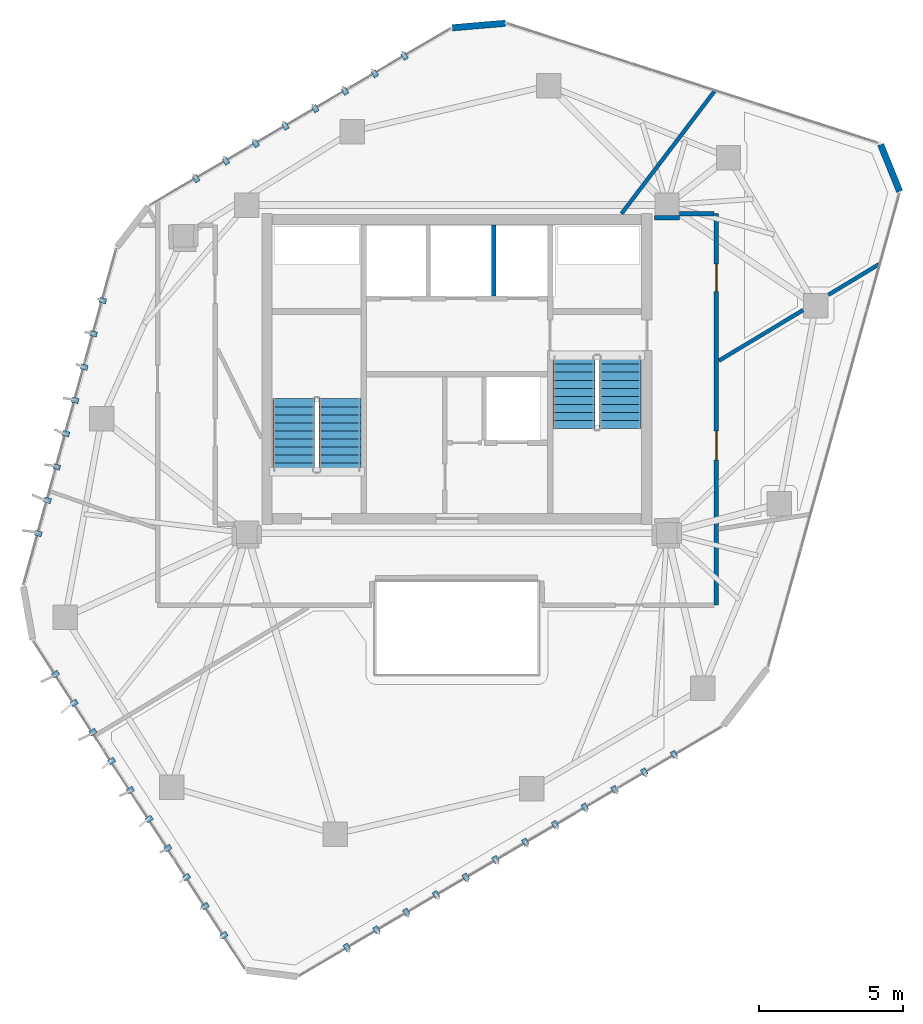
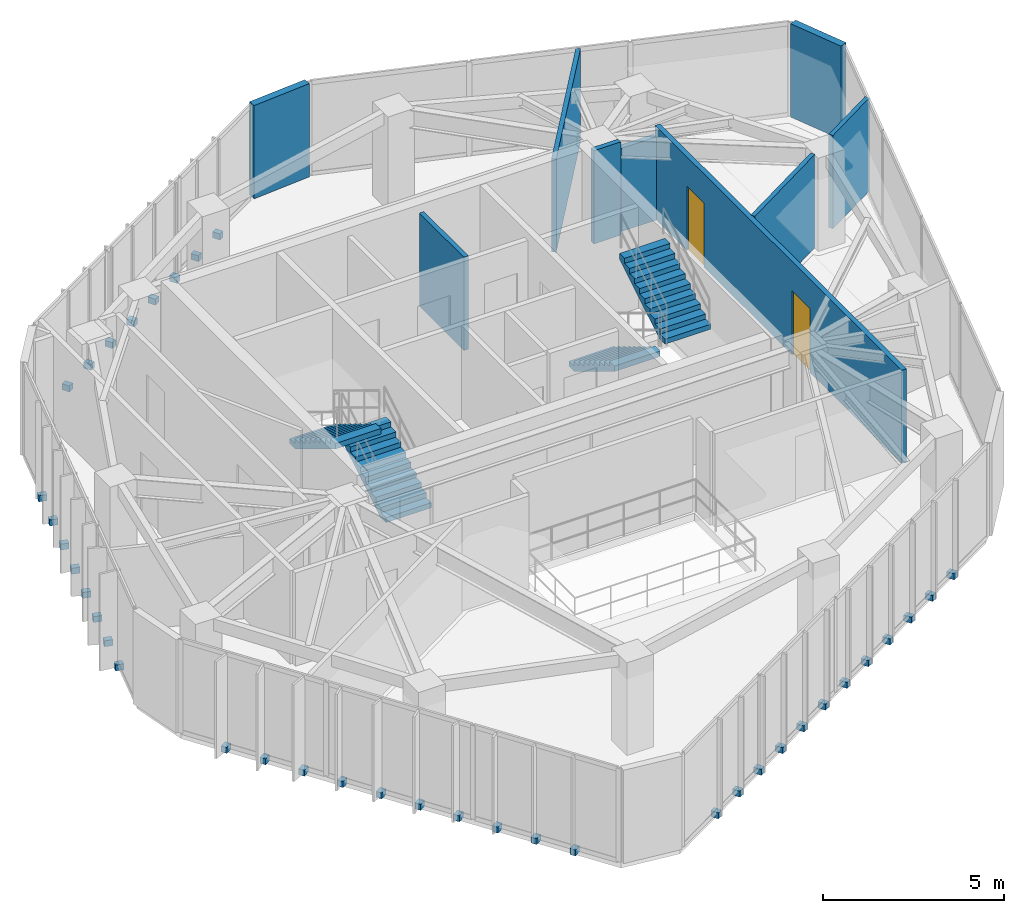
# One storey, part 18 of 20: 38 discrete accessories, 9 walls, 4 stair flights, 2 doors, 2 openings, 2 elements without a shape of their own.
"""IFC4 building model written with IfcOpenShell, lengths in metres."""

import ifcopenshell
import ifcopenshell.guid

model = None  # the IFC model being written
_history = None  # IfcOwnerHistory: only IFC2X3 demands one
_inside = {}  # id of a spatial element -> (the spatial element, [elements in it])
_under = {}  # id of a project, library or spatial element -> (it, [spatial elements below it])
_declared = {}  # id of a project -> (the project, [libraries it declares])
_typed = {}  # id of a type object -> (the type object, [elements of that type])
_made_of = {}  # id of a material, layer set ... -> (it, [elements and type objects made of it])


def new_model(schema):
    """Start an empty IFC model of exactly this schema.

    Asked for "IFC4X3", IfcOpenShell would pick the latest addendum, in which some entities
    have other attributes; the version numbers below select the first issue.
    IFC2X3 requires an IfcOwnerHistory on every rooted entity: one is made here for all.
    """
    global model, _history
    if schema == "IFC4X3":
        model = ifcopenshell.file(schema_version=(4, 3, 0, 0))
    else:
        model = ifcopenshell.file(schema=schema)
    _inside.clear()
    _under.clear()
    _declared.clear()
    _typed.clear()
    _made_of.clear()
    _history = None
    if model.schema == "IFC2X3":
        org = make("IfcOrganization", Name="unknown")
        user = make(
            "IfcPersonAndOrganization",
            ThePerson=make("IfcPerson", FamilyName="unknown"),
            TheOrganization=org,
        )
        app = make(
            "IfcApplication",
            ApplicationDeveloper=org,
            Version="unknown",
            ApplicationFullName="unknown",
            ApplicationIdentifier="unknown",
        )
        _history = make(
            "IfcOwnerHistory",
            OwningUser=user,
            OwningApplication=app,
            ChangeAction="ADDED",
            CreationDate=0,
        )
    return model


def make(cls, **values):
    """One entity of the class cls with the attributes given. An attribute that is None is left unset."""
    return model.create_entity(
        cls, **{name: value for name, value in values.items() if value is not None}
    )


def rooted(cls, **values):
    """An entity with a GlobalId (a new one), such as an element, a storey or a relation."""
    return make(cls, GlobalId=ifcopenshell.guid.new(), OwnerHistory=_history, **values)


def si_unit(unit_type, name, prefix=None):
    """IfcSIUnit, for example si_unit("LENGTHUNIT", "METRE", prefix="MILLI")."""
    return make("IfcSIUnit", UnitType=unit_type, Prefix=prefix, Name=name)


def assignment(units):
    """IfcUnitAssignment: the units of a project."""
    return None if units is None else make("IfcUnitAssignment", Units=units)


def point(xyz):
    """IfcCartesianPoint."""
    return None if xyz is None else make("IfcCartesianPoint", Coordinates=xyz)


def direction(xyz):
    """IfcDirection."""
    return None if xyz is None else make("IfcDirection", DirectionRatios=xyz)


def frame(location, z_axis=None, x_axis=None):
    """IfcAxis2Placement3D, a coordinate frame: its origin and axes. An axis left out is left unset."""
    return make(
        "IfcAxis2Placement3D",
        Location=point(location),
        Axis=direction(z_axis),
        RefDirection=direction(x_axis),
    )


def frame_2d(location, x_axis=None):
    """IfcAxis2Placement2D, a coordinate frame in the plane: its origin and x axis."""
    return make(
        "IfcAxis2Placement2D", Location=point(location), RefDirection=direction(x_axis)
    )


def origin():
    """The frame at (0, 0, 0) with its axes left unset."""
    return frame((0.0, 0.0, 0.0))


def origin_2d():
    """The frame at (0, 0) in the plane with its x axis left unset."""
    return frame_2d((0.0, 0.0))


def place(relative_to, where):
    """IfcLocalPlacement: puts the frame where relative to a parent placement (None: the world)."""
    return make(
        "IfcLocalPlacement", PlacementRelTo=relative_to, RelativePlacement=where
    )


def context(
    kind, dimensions, precision=None, world=None, true_north=None, identifier=None
):
    """IfcGeometricRepresentationContext, for example the 3D "Model" context."""
    return make(
        "IfcGeometricRepresentationContext",
        ContextIdentifier=identifier,
        ContextType=kind,
        CoordinateSpaceDimension=dimensions,
        Precision=precision,
        WorldCoordinateSystem=world,
        TrueNorth=true_north,
    )


def subcontext(parent, identifier, kind, view, scale=None):
    """IfcGeometricRepresentationSubContext, for example "Body" below "Model"."""
    return make(
        "IfcGeometricRepresentationSubContext",
        ContextIdentifier=identifier,
        ContextType=kind,
        ParentContext=parent,
        TargetScale=scale,
        TargetView=view,
    )


def project(units=None, contexts=None):
    """IfcProject with its units and contexts."""
    return rooted(
        "IfcProject",
        Name="project",
        RepresentationContexts=contexts,
        UnitsInContext=assignment(units),
    )


def spatial(cls, under=None, at=None, **own):
    """A site, building, storey or space (cls), placed at a placement, below another one or the project."""
    s = rooted(cls, ObjectPlacement=at, **own)
    if under is not None:
        _under.setdefault(under.id(), (under, []))[1].append(s)
    return s


def polyline(points):
    """IfcPolyline through the points."""
    return make("IfcPolyline", Points=[point(p) for p in points])


def profile(cls, at=None, kind="AREA", **sizes):
    """A parametric profile (cls). Its sizes go by their IFC names, for example OverallWidth=200.0."""
    return make(cls, ProfileType=kind, Position=at, **sizes)


def rectangle(**sizes):
    """IfcRectangleProfileDef."""
    return profile("IfcRectangleProfileDef", **sizes)


def outline(outer, holes=None, kind="AREA"):
    """IfcArbitraryClosedProfileDef: a profile drawn as a closed curve; with holes, ...WithVoids."""
    if holes is None:
        return make("IfcArbitraryClosedProfileDef", ProfileType=kind, OuterCurve=outer)
    return make(
        "IfcArbitraryProfileDefWithVoids",
        ProfileType=kind,
        OuterCurve=outer,
        InnerCurves=holes,
    )


def extrude(swept, where, along, depth):
    """IfcExtrudedAreaSolid: the profile swept, set in the frame where, extruded along a direction by depth."""
    return make(
        "IfcExtrudedAreaSolid",
        SweptArea=swept,
        Position=where,
        ExtrudedDirection=direction(along),
        Depth=depth,
    )


def shape(context_of_items, identifier, shape_type, items):
    """IfcShapeRepresentation: the items that make up one representation, for example the "Body"."""
    return make(
        "IfcShapeRepresentation",
        ContextOfItems=context_of_items,
        RepresentationIdentifier=identifier,
        RepresentationType=shape_type,
        Items=items,
    )


def source(mapping_origin, context_of_items, identifier, shape_type, items):
    """IfcRepresentationMap: a shape defined once, which mapped items show again and again."""
    return make(
        "IfcRepresentationMap",
        MappingOrigin=mapping_origin,
        MappedRepresentation=shape(context_of_items, identifier, shape_type, items),
    )


def transform(
    local_origin,
    x_axis=None,
    y_axis=None,
    z_axis=None,
    scale=None,
    scale2=None,
    scale3=None,
    uniform=True,
):
    """IfcCartesianTransformationOperator3D, or its non-uniform kind. x_axis, y_axis, z_axis: its Axis1, 2, 3."""
    if uniform:
        return make(
            "IfcCartesianTransformationOperator3D",
            Axis1=direction(x_axis),
            Axis2=direction(y_axis),
            LocalOrigin=point(local_origin),
            Scale=scale,
            Axis3=direction(z_axis),
        )
    return make(
        "IfcCartesianTransformationOperator3DnonUniform",
        Axis1=direction(x_axis),
        Axis2=direction(y_axis),
        LocalOrigin=point(local_origin),
        Scale=scale,
        Axis3=direction(z_axis),
        Scale2=scale2,
        Scale3=scale3,
    )


def mapped(mapping_source, mapping_target):
    """IfcMappedItem: shows the shape of a source again, moved by a transform."""
    return make(
        "IfcMappedItem", MappingSource=mapping_source, MappingTarget=mapping_target
    )


def material(Name=None, Category=None):
    """IfcMaterial."""
    return make("IfcMaterial", Name=Name, Category=Category)


def layer(
    of_material, thickness, ventilated=None, Name=None, Category=None, Priority=None
):
    """IfcMaterialLayer: one layer of a wall or slab, of a material (None: an air gap)."""
    return make(
        "IfcMaterialLayer",
        Material=of_material,
        LayerThickness=thickness,
        IsVentilated=ventilated,
        Name=Name,
        Category=Category,
        Priority=Priority,
    )


def layer_set(layers, Name=None):
    """IfcMaterialLayerSet."""
    return make("IfcMaterialLayerSet", MaterialLayers=layers, LayerSetName=Name)


def made_of(thing, what):
    """Note that an element or type object is made of a material, layer set ...; save() writes the relation."""
    if what is not None:
        _made_of.setdefault(what.id(), (what, []))[1].append(thing)
    return thing


def type_object(cls, material=None, **own):
    """A type object (cls), such as IfcWallType, which elements share."""
    return made_of(rooted(cls, **own), material)


def type_shapes(of_type, sources):
    """Give a type object the sources (RepresentationMaps) that its elements show as mapped items."""
    of_type.RepresentationMaps = sources


def element(
    cls,
    number,
    at=None,
    inside=None,
    cuts=None,
    type_object=None,
    material=None,
    context=None,
    identifier="Body",
    shape_type=None,
    held_by="IfcProductDefinitionShape",
    body=None,
    shapes=None,
    **own,
):
    """One element of the class cls, such as IfcWall. Its Tag is "e" and its number.

    at: its placement. inside: the storey or other place that contains it. cuts: it is an
    opening in that element (IfcRelVoidsElement). A single representation is given by context,
    identifier, shape_type and body (its items); several are given by shapes. held_by: the class
    of the entity that holds the representations. save() writes the other relations.
    """
    e = rooted(cls, Tag="e%d" % number, ObjectPlacement=at, **own)
    if body is not None:
        shapes = [shape(context, identifier, shape_type, body)]
    if shapes is not None:
        e.Representation = make(held_by, Representations=shapes)
    if inside is not None:
        _inside.setdefault(inside.id(), (inside, []))[1].append(e)
    if cuts is not None:
        rooted(
            "IfcRelVoidsElement", RelatingBuildingElement=cuts, RelatedOpeningElement=e
        )
    if type_object is not None:
        _typed.setdefault(type_object.id(), (type_object, []))[1].append(e)
    return made_of(e, material)


def fill(opening, filler):
    """IfcRelFillsElement: the door or window that sits in an opening."""
    return rooted(
        "IfcRelFillsElement",
        RelatingOpeningElement=opening,
        RelatedBuildingElement=filler,
    )


def aggregate(whole, parts):
    """IfcRelAggregates: a whole, such as a stair, and the parts it consists of."""
    return rooted("IfcRelAggregates", RelatingObject=whole, RelatedObjects=parts)


def save(model, path):
    """Write the relations noted so far, then the file.

    IfcRelAggregates (storeys below a building ...), IfcRelContainedInSpatialStructure (elements
    in a storey), IfcRelDefinesByType, IfcRelAssociatesMaterial and IfcRelDeclares: one each for
    every whole, place, type object, material and project.
    """
    for whole, parts in _under.values():
        aggregate(whole, parts)
    for where, things in _inside.values():
        rooted(
            "IfcRelContainedInSpatialStructure",
            RelatedElements=things,
            RelatingStructure=where,
        )
    for kind, things in _typed.values():
        rooted("IfcRelDefinesByType", RelatedObjects=things, RelatingType=kind)
    for what, things in _made_of.values():
        rooted("IfcRelAssociatesMaterial", RelatedObjects=things, RelatingMaterial=what)
    for by, libraries in _declared.values():
        rooted("IfcRelDeclares", RelatingContext=by, RelatedDefinitions=libraries)
    model.write(path)


model = new_model("IFC4")

# Units and contexts
model_context = context("Model", 3, precision=1e-05, world=origin(), true_north=direction((0.0, 1.0)))
body_context = subcontext(model_context, "Body", "Model", "MODEL_VIEW")
ifc_project = project(units=[si_unit("LENGTHUNIT", "METRE"), si_unit("AREAUNIT", "SQUARE_METRE"), si_unit("VOLUMEUNIT", "CUBIC_METRE"), si_unit("PLANEANGLEUNIT", "RADIAN"), si_unit("MASSUNIT", "GRAM", prefix="KILO")], contexts=[model_context])

# Site, building, storey
site_placement = place(None, origin())
site = spatial("IfcSite", under=ifc_project, at=site_placement, CompositionType="ELEMENT")
building_placement = place(site_placement, origin())
building = spatial("IfcBuilding", under=site, at=building_placement, Name="Talar Marvaseh", CompositionType="ELEMENT")
storey_placement = place(building_placement, frame((0.0, 0.0, 254.39990234375)))
storey = spatial("IfcBuildingStorey", under=building, at=storey_placement, Name="L67", CompositionType="ELEMENT", Elevation=254.39990234375)

# Walls
ifc_material_1 = material(Name="Precast concrete C45/55", Category="concrete")
ifc_layer_1 = layer(ifc_material_1, 0.22509765625)
ifc_layer_set_1 = layer_set([ifc_layer_1], Name="Precast concrete C45/55")
wall_type_1 = type_object("IfcWallType", Name="Chamfered Hexagonal Corner Pier Wall Z4 225", PredefinedType="SOLIDWALL", material=ifc_layer_set_1)
wall_1_placement = place(storey_placement, frame((25.837890625, 43.060546875, 0.0), z_axis=(0.0, 0.0, 1.0), x_axis=(0.996373138818, 0.085091528619, 0.0)))
element("IfcWall", 1, at=wall_1_placement, inside=storey, type_object=wall_type_1, Name="L67 Chamfered Corner Limestone Pier 4", PredefinedType="SOLIDWALL", context=body_context, shape_type="SweptSolid", body=[
    extrude(rectangle(XDim=1.8564453125, YDim=0.22509765625, at=frame_2d((0.92822265625, 0.0))), origin(), (0.0, 0.0, 1.0), 3.14013671875),
])
wall_2_placement = place(storey_placement, frame((40.726806640625, 39.00244140625, 0.0), z_axis=(0.0, 0.0, 1.0), x_axis=(0.37591139534, -0.926655611786, 0.0)))
element("IfcWall", 2, at=wall_2_placement, inside=storey, type_object=wall_type_1, Name="L67 Chamfered Corner Limestone Pier 5", PredefinedType="SOLIDWALL", context=body_context, shape_type="SweptSolid", body=[
    extrude(rectangle(XDim=1.758056640625, YDim=0.22509765625, at=frame_2d((0.87890625, 0.0))), origin(), (0.0, 0.0, 1.0), 3.14013671875),
])

# Wall, openings, doors
ifc_material_2 = material(Name="Gypsum Board Partition Assembly")
ifc_layer_2 = layer(ifc_material_2, 0.155029296875)
ifc_layer_set_2 = layer_set([ifc_layer_2], Name="Gypsum Board Partition Assembly")
wall_type_2 = type_object("IfcWallType", Name="Corridor Fire-Rated Acoustic Partition 155", PredefinedType="PARTITIONING", material=ifc_layer_set_2)
wall_3_placement = place(storey_placement, frame((35.02001953125, 36.60009765625, 0.0), z_axis=(0.0, 0.0, 1.0), x_axis=(0.0, -1.0, 0.0)))
wall_3 = element("IfcWall", 3, at=wall_3_placement, inside=storey, type_object=wall_type_2, Name="L67 Interior Partition Wall", PredefinedType="PARTITIONING", context=body_context, shape_type="SweptSolid", body=[
    extrude(rectangle(XDim=13.60009765625, YDim=0.155029296875, at=frame_2d((6.800048828125, 0.0))), origin(), (0.0, 0.0, 1.0), 3.14013671875),
])
opening_1_placement = place(wall_3_placement, frame((7.552490234375, 0.0, 0.0)))
opening_1 = element("IfcOpeningElement", 4, at=opening_1_placement, cuts=wall_3, Name="Opening DR-RM100", PredefinedType="OPENING", context=body_context, shape_type="SweptSolid", body=[
    extrude(rectangle(XDim=1.0, YDim=2.14990234375, at=frame_2d((0.5, 1.074951171875))), frame((0.0, 0.08740234375, 0.0), z_axis=(0.0, -1.0, 0.0), x_axis=(1.0, 0.0, 0.0)), (0.0, 0.0, 1.0), 0.175048828125),
])
opening_2_placement = place(wall_3_placement, frame((1.74951171875, 0.0, 0.0)))
opening_2 = element("IfcOpeningElement", 5, at=opening_2_placement, cuts=wall_3, Name="Opening DR-WC095", PredefinedType="OPENING", context=body_context, shape_type="SweptSolid", body=[
    extrude(rectangle(XDim=0.949951171875, YDim=2.14990234375, at=frame_2d((0.47509765625, 1.074951171875))), frame((0.0, 0.08740234375, 0.0), z_axis=(0.0, -1.0, 0.0), x_axis=(1.0, 0.0, 0.0)), (0.0, 0.0, 1.0), 0.175048828125),
])
ifc_material_3 = material(Name="Acoustic Engineered Oak Timber", Category="wood")
door_type_1 = type_object("IfcDoorType", Name="Washroom and Service Room Door 950x2150", OperationType="NOTDEFINED", PredefinedType="DOOR", material=ifc_material_3)
shared_shape_1 = source(origin(), body_context, "Body", "SweptSolid", [
    extrude(rectangle(XDim=0.949951171875, YDim=2.14990234375, at=frame_2d((0.47509765625, 1.074951171875))), frame((0.0, 0.02490234375, 0.0), z_axis=(0.0, -1.0, 0.0), x_axis=(1.0, 0.0, 0.0)), (0.0, 0.0, 1.0), 0.050048828125),
])
type_shapes(door_type_1, [shared_shape_1])
door_1_placement = place(opening_2_placement, origin())
door_1 = element("IfcDoor", 6, at=door_1_placement, inside=storey, type_object=door_type_1, Name="L67 Collection Conservation Store Door", OperationType="SINGLE_SWING_LEFT", OverallHeight=2.14990234375, OverallWidth=0.949951171875, PredefinedType="DOOR", context=body_context, shape_type="MappedRepresentation", body=[
    mapped(shared_shape_1, transform((0.0, 0.0, 0.0), x_axis=(1.0, 0.0, 0.0), y_axis=(0.0, 1.0, 0.0), z_axis=(0.0, 0.0, 1.0), scale=1.0)),
])
fill(opening_2, door_1)
door_type_2 = type_object("IfcDoorType", Name="Corridor Fire-Rated Gallery Door 1000x2150", OperationType="NOTDEFINED", PredefinedType="DOOR", material=ifc_material_3)
shared_shape_2 = source(origin(), body_context, "Body", "SweptSolid", [
    extrude(rectangle(XDim=1.0, YDim=2.14990234375, at=frame_2d((0.5, 1.074951171875))), frame((0.0, 0.02490234375, 0.0), z_axis=(0.0, -1.0, 0.0), x_axis=(1.0, 0.0, 0.0)), (0.0, 0.0, 1.0), 0.050048828125),
])
type_shapes(door_type_2, [shared_shape_2])
door_2_placement = place(opening_1_placement, origin())
door_2 = element("IfcDoor", 7, at=door_2_placement, inside=storey, type_object=door_type_2, Name="L67 Artisan Craft Showroom Door", OperationType="SINGLE_SWING_RIGHT", OverallHeight=2.14990234375, OverallWidth=1.0, PredefinedType="DOOR", context=body_context, shape_type="MappedRepresentation", body=[
    mapped(shared_shape_2, transform((0.0, 0.0, 0.0), x_axis=(1.0, 0.0, 0.0), y_axis=(0.0, 1.0, 0.0), z_axis=(0.0, 0.0, 1.0), scale=1.0)),
])
fill(opening_1, door_2)

# Walls
wall_4_placement = place(storey_placement, frame((32.8701171875, 36.464599609375, 0.0), z_axis=(0.0, 0.0, 1.0), x_axis=(0.999986873463, -0.005123758532, 0.0)))
element("IfcWall", 8, at=wall_4_placement, inside=storey, type_object=wall_type_2, Name="L67 Interior Partition Wall", PredefinedType="PARTITIONING", context=body_context, shape_type="SweptSolid", body=[
    extrude(rectangle(XDim=0.857666015625, YDim=0.155029296875, at=frame_2d((0.4287109375, 0.0))), origin(), (0.0, 0.0, 1.0), 3.14013671875),
])
wall_5_placement = place(storey_placement, frame((33.739990234375, 36.60009765625, 0.0), z_axis=(0.0, 0.0, 1.0), x_axis=(1.0, 0.0, 0.0)))
element("IfcWall", 9, at=wall_5_placement, inside=storey, type_object=wall_type_2, Name="L67 Interior Partition Wall", PredefinedType="PARTITIONING", context=body_context, shape_type="SweptSolid", body=[
    extrude(rectangle(XDim=1.196533203125, YDim=0.155029296875, at=frame_2d((0.59814453125, 0.0))), origin(), (0.0, 0.0, 1.0), 2.802001953125),
])
ifc_layer_3 = layer(ifc_material_1, 0.14501953125)
ifc_layer_set_3 = layer_set([ifc_layer_3], Name="Precast concrete C45/55")
wall_type_3 = type_object("IfcWallType", Name="Fire-Rated Lift Divider Wall 145", PredefinedType="SOLIDWALL", material=ifc_layer_set_3)
wall_6_placement = place(storey_placement, frame((27.280029296875, 33.743408203125, 0.0), z_axis=(0.0, 0.0, 1.0), x_axis=(0.0, 1.0, 0.0)))
element("IfcWall", 10, at=wall_6_placement, inside=storey, type_object=wall_type_3, Name="L67 FFL-2/SVL-1 Divider", PredefinedType="SOLIDWALL", context=body_context, shape_type="SweptSolid", body=[
    extrude(rectangle(XDim=2.45654296875, YDim=0.14501953125, at=frame_2d((1.228271484375, 0.0))), origin(), (0.0, 0.0, 1.0), 3.14013671875),
])
ifc_layer_4 = layer(ifc_material_2, 0.135009765625)
ifc_layer_set_4 = layer_set([ifc_layer_4], Name="Gypsum Board Partition Assembly")
wall_type_4 = type_object("IfcWallType", Name="Gallery High-Acoustic Partition 135", PredefinedType="PARTITIONING", material=ifc_layer_set_4)
wall_7_placement = place(storey_placement, frame((35.103515625, 31.490234375, 0.0), z_axis=(0.0, 0.0, 1.0), x_axis=(0.856994170777, 0.515326101857, 0.0)))
element("IfcWall", 11, at=wall_7_placement, inside=storey, type_object=wall_type_4, Name="L67 Interior Partition Wall", PredefinedType="PARTITIONING", context=body_context, shape_type="SweptSolid", body=[
    extrude(rectangle(XDim=3.414794921875, YDim=0.135009765625, at=frame_2d((1.70751953125, 0.0))), origin(), (0.0, 0.0, 1.0), 3.14013671875),
])
wall_8_placement = place(storey_placement, frame((38.909912109375, 33.780029296875, 0.0), z_axis=(0.0, 0.0, 1.0), x_axis=(0.856064445275, 0.516869099034, 0.0)))
element("IfcWall", 12, at=wall_8_placement, inside=storey, type_object=wall_type_4, Name="L67 Interior Partition Wall", PredefinedType="PARTITIONING", context=body_context, shape_type="SweptSolid", body=[
    extrude(rectangle(XDim=2.07080078125, YDim=0.135009765625, at=frame_2d((1.035400390625, 0.0))), origin(), (0.0, 0.0, 1.0), 3.14013671875),
])
wall_9_placement = place(storey_placement, frame((31.719970703125, 36.60009765625, 0.0), z_axis=(0.0, 0.0, 1.0), x_axis=(0.60467223379, 0.796474412448, 0.0)))
element("IfcWall", 13, at=wall_9_placement, inside=storey, type_object=wall_type_4, Name="L67 Interior Partition Wall", PredefinedType="PARTITIONING", context=body_context, shape_type="SweptSolid", body=[
    extrude(rectangle(XDim=5.347412109375, YDim=0.135009765625, at=frame_2d((2.673828125, 0.0))), origin(), (0.0, 0.0, 1.0), 3.14013671875),
])

# Stair, stair flights
ifc_material_4 = material(Name="Concrete C40/50", Category="concrete")
stair_type = type_object("IfcStairType", Name="Reinforced Concrete High-Rise Exit Stair Type C", PredefinedType="HALF_TURN_STAIR", material=ifc_material_4)
stair_1_placement = place(storey_placement, origin())
stair_1 = element("IfcStair", 14, at=stair_1_placement, inside=storey, type_object=stair_type, Name="L67 Tower West Core Exit Stair", PredefinedType="HALF_TURN_STAIR")
ifc_layer_5 = layer(ifc_material_4, 0.159912109375)
ifc_layer_set_5 = layer_set([ifc_layer_5], Name="Concrete C40/50")
stair_flight_type = type_object("IfcStairFlightType", Name="Reinforced Concrete Straight Stair Flight 160", PredefinedType="STRAIGHT", material=ifc_layer_set_5)
stair_flight_1_placement = place(storey_placement, frame((21.93505859375, 27.64990234375, 0.0), z_axis=(0.0, 0.0, 1.0), x_axis=(0.0, 1.0, 0.0)))
stair_flight_1 = element("IfcStairFlight", 15, at=stair_flight_1_placement, type_object=stair_flight_type, Name="ST-1 flight 1", NumberOfRisers=10, NumberOfTreads=9, PredefinedType="STRAIGHT", RiserHeight=0.17, TreadLength=0.28, context=body_context, shape_type="SweptSolid", body=[
    extrude(outline(polyline([(0.0, 0.0), (0.0, 0.169921875), (0.280029296875, 0.169921875), (0.280029296875, 0.340087890625), (0.56005859375, 0.340087890625), (0.56005859375, 0.510009765625), (0.840087890625, 0.510009765625), (0.840087890625, 0.679931640625), (1.1201171875, 0.679931640625), (1.1201171875, 0.85009765625), (1.39990234375, 0.85009765625), (1.39990234375, 1.02001953125), (1.679931640625, 1.02001953125), (1.679931640625, 1.18994140625), (1.9599609375, 1.18994140625), (1.9599609375, 1.360107421875), (2.239990234375, 1.360107421875), (2.239990234375, 1.530029296875), (2.52001953125, 1.530029296875), (2.52001953125, 1.699951171875), (2.52001953125, 1.343017578125), (0.30810546875, 0.0), (0.0, 0.0)])), frame((0.0, 0.72509765625, 0.0), z_axis=(0.0, -1.0, 0.0), x_axis=(1.0, 0.0, 0.0)), (0.0, 0.0, 1.0), 1.449951171875),
])
stair_flight_2_placement = place(storey_placement, frame((20.324951171875, 30.169921875, 1.7001953125), z_axis=(0.0, 0.0, 1.0), x_axis=(0.0, -1.0, 0.0)))
stair_flight_2 = element("IfcStairFlight", 16, at=stair_flight_2_placement, type_object=stair_flight_type, Name="ST-1 flight 2", NumberOfRisers=10, NumberOfTreads=9, PredefinedType="STRAIGHT", RiserHeight=0.17, TreadLength=0.28, context=body_context, shape_type="SweptSolid", body=[
    extrude(outline(polyline([(0.0, 0.0), (0.0, 0.169921875), (0.280029296875, 0.169921875), (0.280029296875, 0.340087890625), (0.56005859375, 0.340087890625), (0.56005859375, 0.510009765625), (0.840087890625, 0.510009765625), (0.840087890625, 0.679931640625), (1.1201171875, 0.679931640625), (1.1201171875, 0.85009765625), (1.39990234375, 0.85009765625), (1.39990234375, 1.02001953125), (1.679931640625, 1.02001953125), (1.679931640625, 1.18994140625), (1.9599609375, 1.18994140625), (1.9599609375, 1.360107421875), (2.239990234375, 1.360107421875), (2.239990234375, 1.530029296875), (2.52001953125, 1.530029296875), (2.52001953125, 1.699951171875), (2.52001953125, 1.343017578125), (0.30810546875, 0.0), (0.0, 0.0)])), frame((0.0, 0.72509765625, 0.0), z_axis=(0.0, -1.0, 0.0), x_axis=(1.0, 0.0, 0.0)), (0.0, 0.0, 1.0), 1.449951171875),
])
aggregate(stair_1, [stair_flight_1, stair_flight_2])

stair_2_placement = place(storey_placement, origin())
stair_2 = element("IfcStair", 17, at=stair_2_placement, inside=storey, type_object=stair_type, Name="L67 Tower East Core Exit Stair", PredefinedType="HALF_TURN_STAIR")
stair_flight_3_placement = place(storey_placement, frame((30.06494140625, 31.64990234375, 0.0), z_axis=(0.0, 0.0, 1.0), x_axis=(0.0, -1.0, 0.0)))
stair_flight_3 = element("IfcStairFlight", 18, at=stair_flight_3_placement, type_object=stair_flight_type, Name="ST-2 flight 1", NumberOfRisers=10, NumberOfTreads=9, PredefinedType="STRAIGHT", RiserHeight=0.17, TreadLength=0.28, context=body_context, shape_type="SweptSolid", body=[
    extrude(outline(polyline([(0.0, 0.0), (0.0, 0.169921875), (0.280029296875, 0.169921875), (0.280029296875, 0.340087890625), (0.56005859375, 0.340087890625), (0.56005859375, 0.510009765625), (0.840087890625, 0.510009765625), (0.840087890625, 0.679931640625), (1.1201171875, 0.679931640625), (1.1201171875, 0.85009765625), (1.39990234375, 0.85009765625), (1.39990234375, 1.02001953125), (1.679931640625, 1.02001953125), (1.679931640625, 1.18994140625), (1.9599609375, 1.18994140625), (1.9599609375, 1.360107421875), (2.239990234375, 1.360107421875), (2.239990234375, 1.530029296875), (2.52001953125, 1.530029296875), (2.52001953125, 1.699951171875), (2.52001953125, 1.343017578125), (0.30810546875, 0.0), (0.0, 0.0)])), frame((0.0, 0.72509765625, 0.0), z_axis=(0.0, -1.0, 0.0), x_axis=(1.0, 0.0, 0.0)), (0.0, 0.0, 1.0), 1.449951171875),
])
stair_flight_4_placement = place(storey_placement, frame((31.675048828125, 29.1298828125, 1.7001953125), z_axis=(0.0, 0.0, 1.0), x_axis=(0.0, 1.0, 0.0)))
stair_flight_4 = element("IfcStairFlight", 19, at=stair_flight_4_placement, type_object=stair_flight_type, Name="ST-2 flight 2", NumberOfRisers=10, NumberOfTreads=9, PredefinedType="STRAIGHT", RiserHeight=0.17, TreadLength=0.28, context=body_context, shape_type="SweptSolid", body=[
    extrude(outline(polyline([(0.0, 0.0), (0.0, 0.169921875), (0.280029296875, 0.169921875), (0.280029296875, 0.340087890625), (0.56005859375, 0.340087890625), (0.56005859375, 0.510009765625), (0.840087890625, 0.510009765625), (0.840087890625, 0.679931640625), (1.1201171875, 0.679931640625), (1.1201171875, 0.85009765625), (1.39990234375, 0.85009765625), (1.39990234375, 1.02001953125), (1.679931640625, 1.02001953125), (1.679931640625, 1.18994140625), (1.9599609375, 1.18994140625), (1.9599609375, 1.360107421875), (2.239990234375, 1.360107421875), (2.239990234375, 1.530029296875), (2.52001953125, 1.530029296875), (2.52001953125, 1.699951171875), (2.52001953125, 1.343017578125), (0.30810546875, 0.0), (0.0, 0.0)])), frame((0.0, 0.72509765625, 0.0), z_axis=(0.0, -1.0, 0.0), x_axis=(1.0, 0.0, 0.0)), (0.0, 0.0, 1.0), 1.449951171875),
])
aggregate(stair_2, [stair_flight_3, stair_flight_4])

# Discrete accessories
ifc_material_5 = material(Name="Stainless Steel Grade 316", Category="steel")
discrete_accessory_type = type_object("IfcDiscreteAccessoryType", Name="Stainless Slab-Edge Fin Mounting Bracket", PredefinedType="BRACKET", material=ifc_material_5)
shared_shape_3 = source(origin(), body_context, "Body", "SweptSolid", [
    extrude(rectangle(XDim=0.239990234375, YDim=0.179931640625, at=origin_2d()), origin(), (0.0, 0.0, 1.0), 0.199951171875),
])
type_shapes(discrete_accessory_type, [shared_shape_3])
for number, where, z_axis, x_axis, name in (
    (20, (17.906005859375, 11.5263671875, -0.1796875), (0.0, 0.0, 1.0), (-0.840093553899, -0.542441536663, 0.0), "L67 Vertical Fin Slab-Edge Bracket"),
    (21, (17.255126953125, 12.534423828125, -0.1796875), (0.0, 0.0, 1.0), (-0.840093553899, -0.542441536663, 0.0), "L67 Vertical Fin Slab-Edge Bracket"),
    (22, (16.604248046875, 13.542724609375, -0.1796875), (0.0, 0.0, 1.0), (-0.840093553899, -0.542441536663, 0.0), "L67 Vertical Fin Slab-Edge Bracket"),
    (23, (15.953369140625, 14.55078125, -0.1796875), (0.0, 0.0, 1.0), (-0.840093553899, -0.542441536663, 0.0), "L67 Vertical Fin Slab-Edge Bracket"),
    (24, (15.302490234375, 15.55908203125, -0.1796875), (0.0, 0.0, 1.0), (-0.840093553899, -0.542441536663, 0.0), "L67 Vertical Fin Slab-Edge Bracket"),
    (25, (14.651611328125, 16.567138671875, -0.1796875), (0.0, 0.0, 1.0), (-0.840093553899, -0.542441536663, 0.0), "L67 Vertical Fin Slab-Edge Bracket"),
    (26, (14.000732421875, 17.5751953125, -0.1796875), (0.0, 0.0, 1.0), (-0.840093553899, -0.542441536663, 0.0), "L67 Vertical Fin Slab-Edge Bracket"),
    (27, (13.35009765625, 18.58349609375, -0.1796875), (0.0, 0.0, 1.0), (-0.840093553899, -0.542441536663, 0.0), "L67 Vertical Fin Slab-Edge Bracket"),
    (28, (12.69921875, 19.591552734375, -0.1796875), (0.0, 0.0, 1.0), (-0.840093553899, -0.542441536663, 0.0), "L67 Vertical Fin Slab-Edge Bracket"),
    (29, (12.048095703125, 20.599609375, -0.1796875), (0.0, 0.0, 1.0), (-0.840093553899, -0.542441536663, 0.0), "L67 Vertical Fin Slab-Edge Bracket"),
    (30, (11.45458984375, 25.48486328125, -0.1796875), (0.0, 0.0, 1.0), (-0.963956227226, 0.266060880235, 0.0), "L67 Vertical Fin Slab-Edge Bracket"),
    (31, (11.773681640625, 26.6416015625, -0.1796875), (0.0, 0.0, 1.0), (-0.963956227226, 0.266060880235, 0.0), "L67 Vertical Fin Slab-Edge Bracket"),
    (32, (12.093017578125, 27.79833984375, -0.1796875), (0.0, 0.0, 1.0), (-0.963956227226, 0.266060880235, 0.0), "L67 Vertical Fin Slab-Edge Bracket"),
    (33, (12.412353515625, 28.955078125, -0.1796875), (0.0, 0.0, 1.0), (-0.963956227226, 0.266060880235, 0.0), "L67 Vertical Fin Slab-Edge Bracket"),
    (34, (12.731689453125, 30.11181640625, -0.1796875), (0.0, 0.0, 1.0), (-0.963956227226, 0.266060880235, 0.0), "L67 Vertical Fin Slab-Edge Bracket"),
    (35, (13.051025390625, 31.2685546875, -0.1796875), (0.0, 0.0, 1.0), (-0.963956227226, 0.266060880235, 0.0), "L67 Vertical Fin Slab-Edge Bracket"),
    (36, (13.370361328125, 32.42529296875, -0.1796875), (0.0, 0.0, 1.0), (-0.963956227226, 0.266060880235, 0.0), "L67 Vertical Fin Slab-Edge Bracket"),
    (37, (13.689697265625, 33.58203125, -0.1796875), (0.0, 0.0, 1.0), (-0.963956227226, 0.266060880235, 0.0), "L67 Vertical Fin Slab-Edge Bracket"),
    (38, (16.939208984375, 37.816650390625, -0.1796875), (0.0, 0.0, 1.0), (-0.506485305836, 0.862248592329, 0.0), "L67 Vertical Fin Slab-Edge Bracket"),
    (39, (17.973876953125, 38.424560546875, -0.1796875), (0.0, 0.0, 1.0), (-0.506485305836, 0.862248592329, 0.0), "L67 Vertical Fin Slab-Edge Bracket"),
    (40, (19.008544921875, 39.0322265625, -0.1796875), (0.0, 0.0, 1.0), (-0.506485305836, 0.862248592329, 0.0), "L67 Vertical Fin Slab-Edge Bracket"),
    (41, (20.043212890625, 39.64013671875, -0.1796875), (0.0, 0.0, 1.0), (-0.506485305836, 0.862248592329, 0.0), "L67 Vertical Fin Slab-Edge Bracket"),
    (42, (21.077880859375, 40.247802734375, -0.1796875), (0.0, 0.0, 1.0), (-0.506485305836, 0.862248592329, 0.0), "L67 Vertical Fin Slab-Edge Bracket"),
    (43, (22.112548828125, 40.855712890625, -0.1796875), (0.0, 0.0, 1.0), (-0.506485305836, 0.862248592329, 0.0), "L67 Vertical Fin Slab-Edge Bracket"),
    (44, (23.147216796875, 41.463623046875, -0.1796875), (0.0, 0.0, 1.0), (-0.506485305836, 0.862248592329, 0.0), "L67 Vertical Fin Slab-Edge Bracket"),
    (45, (24.181884765625, 42.0712890625, -0.1796875), (0.0, 0.0, 1.0), (-0.506485305836, 0.862248592329, 0.0), "L67 Vertical Fin Slab-Edge Bracket"),
    (46, (33.545166015625, 17.80908203125, -0.1796875), (0.0, 0.0, 1.0), (0.507688737887, -0.861540565163, 0.0), "L67 Vertical Fin Slab-Edge Bracket"),
    (47, (32.51123046875, 17.19970703125, -0.1796875), (0.0, 0.0, 1.0), (0.507688737887, -0.861540565163, 0.0), "L67 Vertical Fin Slab-Edge Bracket"),
    (48, (31.477294921875, 16.590576171875, -0.1796875), (0.0, 0.0, 1.0), (0.507688737887, -0.861540565163, 0.0), "L67 Vertical Fin Slab-Edge Bracket"),
    (49, (30.443603515625, 15.9814453125, -0.1796875), (0.0, 0.0, 1.0), (0.507688737887, -0.861540565163, 0.0), "L67 Vertical Fin Slab-Edge Bracket"),
    (50, (29.40966796875, 15.372314453125, -0.1796875), (0.0, 0.0, 1.0), (0.507688737887, -0.861540565163, 0.0), "L67 Vertical Fin Slab-Edge Bracket"),
    (51, (28.375732421875, 14.762939453125, -0.1796875), (0.0, 0.0, 1.0), (0.507688737887, -0.861540565163, 0.0), "L67 Vertical Fin Slab-Edge Bracket"),
    (52, (27.342041015625, 14.15380859375, -0.1796875), (0.0, 0.0, 1.0), (0.507688737887, -0.861540565163, 0.0), "L67 Vertical Fin Slab-Edge Bracket"),
    (53, (26.30810546875, 13.544677734375, -0.1796875), (0.0, 0.0, 1.0), (0.507688737887, -0.861540565163, 0.0), "L67 Vertical Fin Slab-Edge Bracket"),
    (54, (25.2744140625, 12.935302734375, -0.1796875), (0.0, 0.0, 1.0), (0.507688737887, -0.861540565163, 0.0), "L67 Vertical Fin Slab-Edge Bracket"),
    (55, (24.240478515625, 12.326171875, -0.1796875), (0.0, 0.0, 1.0), (0.507688737887, -0.861540565163, 0.0), "L67 Vertical Fin Slab-Edge Bracket"),
    (56, (23.20654296875, 11.717041015625, -0.1796875), (0.0, 0.0, 1.0), (0.507688737887, -0.861540565163, 0.0), "L67 Vertical Fin Slab-Edge Bracket"),
    (57, (22.172607421875, 11.10791015625, -0.1796875), (0.0, 0.0, 1.0), (0.507688737887, -0.861540565163, 0.0), "L67 Vertical Fin Slab-Edge Bracket"),
):
    element("IfcDiscreteAccessory", number, at=place(storey_placement, frame(where, z_axis=z_axis, x_axis=x_axis)), inside=storey, type_object=discrete_accessory_type, Name=name, PredefinedType="BRACKET", context=body_context, shape_type="MappedRepresentation", body=[
        mapped(shared_shape_3, transform((0.0, 0.0, 0.0), x_axis=(1.0, 0.0, 0.0), y_axis=(0.0, 1.0, 0.0), z_axis=(0.0, 0.0, 1.0), scale=1.0)),
    ])

save(model, "model.ifc")
